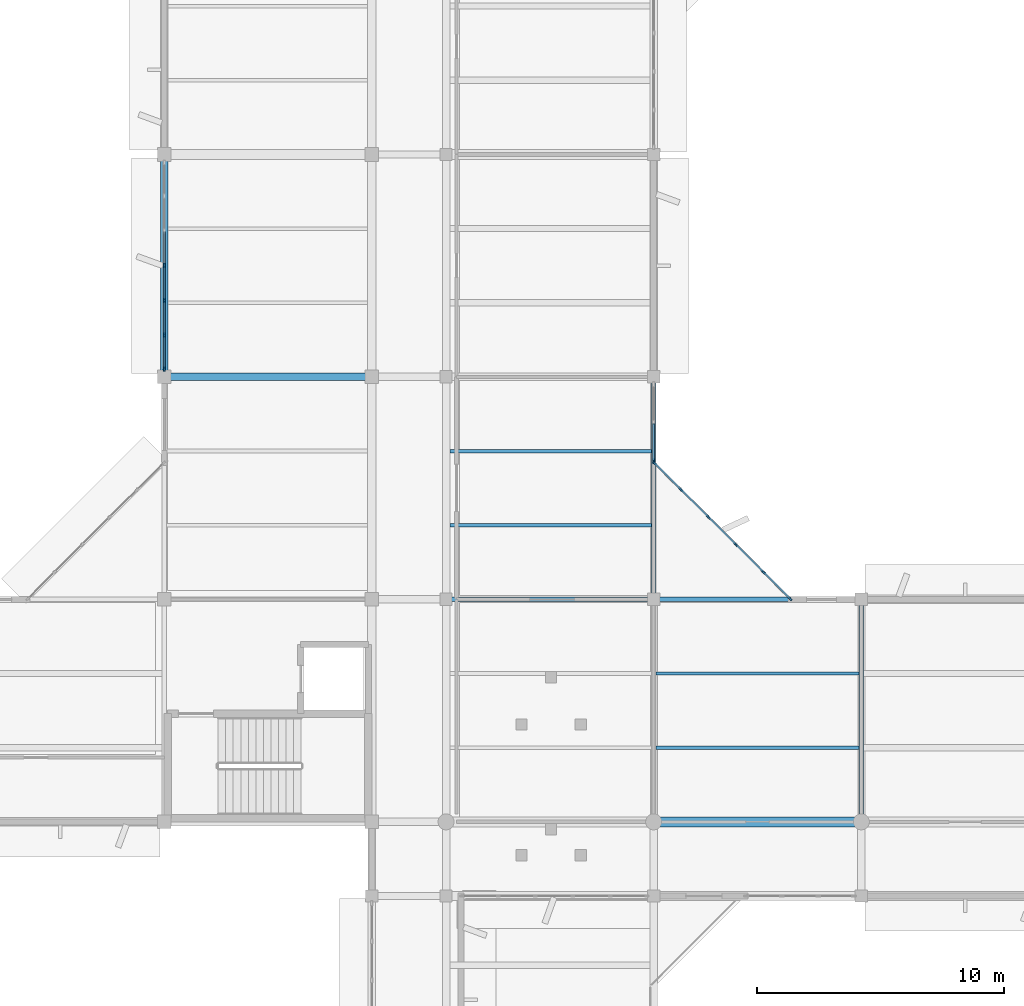
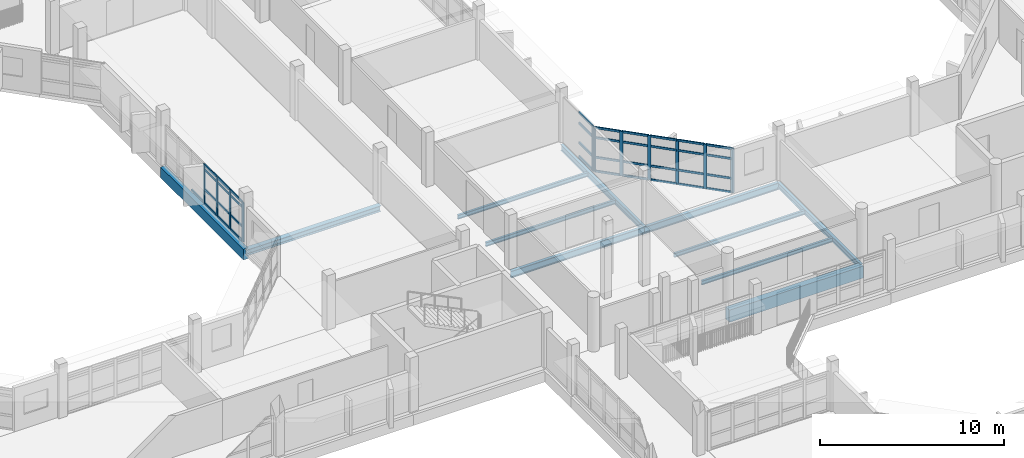
# One storey, part 22 of 92: 48 members, 11 beams, 3 elements without a shape of their own.
"""IFC4 building model written with IfcOpenShell, lengths in metres."""

from ifc_helpers import new_model, si_unit, direction, frame, origin, origin_2d, place, context, subcontext, project, spatial, rectangle, i_section, extrude, material, material_profile, profile_set, type_object, element, aggregate, save


model = new_model("IFC4")

# Units and contexts
model_context = context("Model", 3, precision=1e-05, world=origin(), true_north=direction((0.0, 1.0)))
body_context = subcontext(model_context, "Body", "Model", "MODEL_VIEW")
ifc_project = project(units=[si_unit("LENGTHUNIT", "METRE"), si_unit("AREAUNIT", "SQUARE_METRE"), si_unit("VOLUMEUNIT", "CUBIC_METRE"), si_unit("PLANEANGLEUNIT", "RADIAN"), si_unit("MASSUNIT", "GRAM", prefix="KILO")], contexts=[model_context])

# Site, building, storey
site_placement = place(None, origin())
site = spatial("IfcSite", under=ifc_project, at=site_placement, CompositionType="ELEMENT")
building_placement = place(site_placement, origin())
building = spatial("IfcBuilding", under=site, at=building_placement, Name="Vanh Quang Courtyard School", CompositionType="ELEMENT")
storey_placement = place(building_placement, frame((0.0, 0.0, 7.800048828125)))
storey = spatial("IfcBuildingStorey", under=building, at=storey_placement, Name="L02", CompositionType="ELEMENT", Elevation=7.800048828125)

# Beams
ifc_material_1 = material(Name="Concrete C35/45", Category="concrete")
ifc_material_profile_1 = material_profile(ifc_material_1, rectangle(XDim=0.39990234375, YDim=0.800048828125, at=origin_2d()), Name="RC-BM 400x800")
ifc_profile_set_1 = profile_set([ifc_material_profile_1], Name="Concrete C35/45")
beam_type_1 = type_object("IfcBeamType", Name="BM-RC-400x800", PredefinedType="BEAM", material=ifc_profile_set_1)
beam_1_placement = place(storey_placement, frame((85.800048828125, 32.39990234375, -0.679931640625), z_axis=(1.0, 0.0, 0.0), x_axis=(0.0, 1.0, 0.0)))
element("IfcBeam", 1, at=beam_1_placement, inside=storey, type_object=beam_type_1, Name="Beam B-02 (L02)", PredefinedType="BEAM", context=body_context, shape_type="SweptSolid", body=[
    extrude(rectangle(XDim=0.39990234375, YDim=0.800048828125, at=origin_2d()), origin(), (0.0, 0.0, 1.0), 8.39990234375),
])
ifc_material_profile_2 = material_profile(ifc_material_1, rectangle(XDim=0.300048828125, YDim=0.699951171875, at=origin_2d()), Name="RC-SP 300x700")
ifc_profile_set_2 = profile_set([ifc_material_profile_2], Name="Concrete C35/45")
beam_type_2 = type_object("IfcBeamType", Name="BM-SP-300x700", PredefinedType="SPANDREL", material=ifc_profile_set_2)
beam_2_placement = place(storey_placement, frame((66.0, 50.39990234375, -0.650146484375), z_axis=(0.0, 1.0, 0.0), x_axis=(-1.0, 0.0, 0.0)))
element("IfcBeam", 2, at=beam_2_placement, inside=storey, type_object=beam_type_2, Name="Beam BS-01 (L02)", PredefinedType="SPANDREL", context=body_context, shape_type="SweptSolid", body=[
    extrude(rectangle(XDim=0.300048828125, YDim=0.699951171875, at=origin_2d()), origin(), (0.0, 0.0, 1.0), 9.0),
])
ifc_material_2 = material(Name="Structural steel EN 10025-2 S355J2", Category="steel")
ifc_material_profile_3 = material_profile(ifc_material_2, i_section(OverallWidth=0.300048828125, OverallDepth=0.389892578125, WebThickness=0.010986328125, FlangeThickness=0.01904296875, FilletRadius=0.027099609375, at=origin_2d()), Name="HEA 400")
ifc_profile_set_3 = profile_set([ifc_material_profile_3], Name="Structural steel EN 10025-2 S355J2")
beam_type_3 = type_object("IfcBeamType", Name="BM-STL-HEA400", PredefinedType="BEAM", material=ifc_profile_set_3)
beam_3_placement = place(storey_placement, frame((66.0, 50.39990234375, -0.4951171875), z_axis=(1.0, 0.0, 0.0), x_axis=(0.0, 1.0, 0.0)))
element("IfcBeam", 3, at=beam_3_placement, inside=storey, type_object=beam_type_3, Name="Beam SB-08 (L02)", PredefinedType="BEAM", context=body_context, shape_type="SweptSolid", body=[
    extrude(i_section(OverallWidth=0.300048828125, OverallDepth=0.389892578125, WebThickness=0.010986328125, FlangeThickness=0.01904296875, FilletRadius=0.027099609375, at=origin_2d()), origin(), (0.0, 0.0, 1.0), 8.39990234375),
])
ifc_material_profile_4 = material_profile(ifc_material_2, i_section(OverallWidth=0.169921875, OverallDepth=0.360107421875, WebThickness=0.008056640625, FlangeThickness=0.0126953125, FilletRadius=0.01806640625, at=origin_2d()), Name="IPE 360")
ifc_profile_set_4 = profile_set([ifc_material_profile_4], Name="Structural steel EN 10025-2 S355J2")
beam_type_4 = type_object("IfcBeamType", Name="BM-STL-IPE360", PredefinedType="BEAM", material=ifc_profile_set_4)
beam_4_placement = place(storey_placement, frame((94.199951171875, 32.39990234375, -0.4599609375), z_axis=(0.0, 1.0, 0.0), x_axis=(-1.0, 0.0, 0.0)))
element("IfcBeam", 4, at=beam_4_placement, inside=storey, type_object=beam_type_4, Name="Beam SB-06 (L02)", PredefinedType="BEAM", context=body_context, shape_type="SweptSolid", body=[
    extrude(i_section(OverallWidth=0.169921875, OverallDepth=0.360107421875, WebThickness=0.008056640625, FlangeThickness=0.0126953125, FilletRadius=0.01806640625, at=origin_2d()), origin(), (0.0, 0.0, 1.0), 9.0),
])
ifc_material_profile_5 = material_profile(ifc_material_2, i_section(OverallWidth=0.179931640625, OverallDepth=0.39990234375, WebThickness=0.008544921875, FlangeThickness=0.013427734375, FilletRadius=0.02099609375, at=origin_2d()), Name="IPE 400")
ifc_profile_set_5 = profile_set([ifc_material_profile_5], Name="Structural steel EN 10025-2 S355J2")
beam_type_5 = type_object("IfcBeamType", Name="BM-STL-IPE400", PredefinedType="BEAM", material=ifc_profile_set_5)
beam_5_placement = place(storey_placement, frame((85.800048828125, 41.39990234375, -0.47998046875), z_axis=(0.0, 1.0, 0.0), x_axis=(-1.0, 0.0, 0.0)))
element("IfcBeam", 5, at=beam_5_placement, inside=storey, type_object=beam_type_5, Name="Beam SB-05 (L02)", PredefinedType="BEAM", context=body_context, shape_type="SweptSolid", body=[
    extrude(i_section(OverallWidth=0.179931640625, OverallDepth=0.39990234375, WebThickness=0.008544921875, FlangeThickness=0.013427734375, FilletRadius=0.02099609375, at=origin_2d()), origin(), (0.0, 0.0, 1.0), 9.0),
])
ifc_material_profile_6 = material_profile(ifc_material_2, i_section(OverallWidth=0.18994140625, OverallDepth=0.449951171875, WebThickness=0.009521484375, FlangeThickness=0.0146484375, FilletRadius=0.02099609375, at=origin_2d()), Name="IPE 450")
ifc_profile_set_6 = profile_set([ifc_material_profile_6], Name="Structural steel EN 10025-2 S355J2")
beam_type_6 = type_object("IfcBeamType", Name="BM-STL-IPE450", PredefinedType="BEAM", material=ifc_profile_set_6)
beam_6_placement = place(storey_placement, frame((77.39990234375, 41.39990234375, -0.505126953125), z_axis=(1.0, 0.0, 0.0), x_axis=(0.0, 1.0, 0.0)))
element("IfcBeam", 6, at=beam_6_placement, inside=storey, type_object=beam_type_6, Name="Beam SB-04 (L02)", PredefinedType="BEAM", context=body_context, shape_type="SweptSolid", body=[
    extrude(i_section(OverallWidth=0.18994140625, OverallDepth=0.449951171875, WebThickness=0.009521484375, FlangeThickness=0.0146484375, FilletRadius=0.02099609375, at=origin_2d()), origin(), (0.0, 0.0, 1.0), 8.400146484375),
])
beam_7_placement = place(storey_placement, frame((85.800048828125, 41.39990234375, -0.505126953125), z_axis=(1.0, 0.0, 0.0), x_axis=(0.0, 1.0, 0.0)))
element("IfcBeam", 7, at=beam_7_placement, inside=storey, type_object=beam_type_6, Name="Beam SB-04 (L02)", PredefinedType="BEAM", context=body_context, shape_type="SweptSolid", body=[
    extrude(i_section(OverallWidth=0.18994140625, OverallDepth=0.449951171875, WebThickness=0.009521484375, FlangeThickness=0.0146484375, FilletRadius=0.02099609375, at=origin_2d()), origin(), (0.0, 0.0, 1.0), 8.39990234375),
])

# Curtain wall, members
ifc_material_3 = material(Name="Thermally broken aluminium unitised curtain wall", Category="aluminium")
curtain_wall_type_1 = type_object("IfcCurtainWallType", Name="CW-SYS-48", PredefinedType="NOTDEFINED", material=ifc_material_3)
curtain_wall_1_placement = place(storey_placement, origin())
curtain_wall_1 = element("IfcCurtainWall", 8, at=curtain_wall_1_placement, inside=storey, type_object=curtain_wall_type_1, Name="Curtain Wall CW-48 (L02)", PredefinedType="NOTDEFINED")
ifc_material_4 = material(Name="Anodised aluminium 6063-T6", Category="aluminium")
ifc_material_profile_7 = material_profile(ifc_material_4, rectangle(XDim=0.070068359375, YDim=0.179931640625, at=origin_2d()), Name="ALU-MUL 70x180")
ifc_profile_set_7 = profile_set([ifc_material_profile_7], Name="Anodised aluminium 6063-T6")
member_type_1 = type_object("IfcMemberType", Name="CW-MUL-70x180", PredefinedType="MULLION", material=ifc_profile_set_7)
member_1_placement = place(storey_placement, frame((66.0, 50.718017578125, 0.0), z_axis=(0.0, 0.0, 1.0), x_axis=(-1.0, 0.0, 0.0)))
member_1 = element("IfcMember", 9, at=member_1_placement, type_object=member_type_1, Name="CW-48 mullion 1", PredefinedType="MULLION", context=body_context, shape_type="SweptSolid", body=[
    extrude(rectangle(XDim=0.070068359375, YDim=0.179931640625, at=origin_2d()), origin(), (0.0, 0.0, 1.0), 2.599853515625),
])
member_2_placement = place(storey_placement, frame((66.0, 52.088623046875, 0.0), z_axis=(0.0, 0.0, 1.0), x_axis=(-1.0, 0.0, 0.0)))
member_2 = element("IfcMember", 10, at=member_2_placement, type_object=member_type_1, Name="CW-48 mullion 2", PredefinedType="MULLION", context=body_context, shape_type="SweptSolid", body=[
    extrude(rectangle(XDim=0.070068359375, YDim=0.179931640625, at=origin_2d()), origin(), (0.0, 0.0, 1.0), 2.599853515625),
])
member_3_placement = place(storey_placement, frame((66.0, 53.494384765625, 0.0), z_axis=(0.0, 0.0, 1.0), x_axis=(-1.0, 0.0, 0.0)))
member_3 = element("IfcMember", 11, at=member_3_placement, type_object=member_type_1, Name="CW-48 mullion 3", PredefinedType="MULLION", context=body_context, shape_type="SweptSolid", body=[
    extrude(rectangle(XDim=0.070068359375, YDim=0.179931640625, at=origin_2d()), origin(), (0.0, 0.0, 1.0), 2.599853515625),
])
member_4_placement = place(storey_placement, frame((66.0, 54.89990234375, 0.0), z_axis=(0.0, 0.0, 1.0), x_axis=(-1.0, 0.0, 0.0)))
member_4 = element("IfcMember", 12, at=member_4_placement, type_object=member_type_1, Name="CW-48 mullion 4", PredefinedType="MULLION", context=body_context, shape_type="SweptSolid", body=[
    extrude(rectangle(XDim=0.070068359375, YDim=0.179931640625, at=origin_2d()), origin(), (0.0, 0.0, 1.0), 2.599853515625),
])

curtain_wall_type_2 = type_object("IfcCurtainWallType", Name="CW-SYS-52", PredefinedType="NOTDEFINED", material=ifc_material_3)
curtain_wall_2_placement = place(storey_placement, origin())
curtain_wall_2 = element("IfcCurtainWall", 13, at=curtain_wall_2_placement, inside=storey, type_object=curtain_wall_type_2, Name="Curtain Wall CW-52 (L02)", PredefinedType="NOTDEFINED")
member_5_placement = place(storey_placement, frame((85.82470703125, 46.919189453125, 0.0), z_axis=(0.0, 0.0, 1.0), x_axis=(0.707106781187, 0.707106781187, 0.0)))
member_5 = element("IfcMember", 14, at=member_5_placement, type_object=member_type_1, Name="CW-52 mullion 1", PredefinedType="MULLION", context=body_context, shape_type="SweptSolid", body=[
    extrude(rectangle(XDim=0.070068359375, YDim=0.179931640625, at=origin_2d()), origin(), (0.0, 0.0, 1.0), 2.949951171875),
])
member_6_placement = place(storey_placement, frame((86.90869140625, 45.835205078125, 0.0), z_axis=(0.0, 0.0, 1.0), x_axis=(0.707106781187, 0.707106781187, 0.0)))
member_6 = element("IfcMember", 15, at=member_6_placement, type_object=member_type_1, Name="CW-52 mullion 2", PredefinedType="MULLION", context=body_context, shape_type="SweptSolid", body=[
    extrude(rectangle(XDim=0.070068359375, YDim=0.179931640625, at=origin_2d()), origin(), (0.0, 0.0, 1.0), 2.949951171875),
])
member_7_placement = place(storey_placement, frame((88.017578125, 44.726318359375, 0.0), z_axis=(0.0, 0.0, 1.0), x_axis=(0.707106781187, 0.707106781187, 0.0)))
member_7 = element("IfcMember", 16, at=member_7_placement, type_object=member_type_1, Name="CW-52 mullion 3", PredefinedType="MULLION", context=body_context, shape_type="SweptSolid", body=[
    extrude(rectangle(XDim=0.070068359375, YDim=0.179931640625, at=origin_2d()), origin(), (0.0, 0.0, 1.0), 2.949951171875),
])
member_8_placement = place(storey_placement, frame((89.12646484375, 43.61767578125, 0.0), z_axis=(0.0, 0.0, 1.0), x_axis=(0.707106781187, 0.707106781187, 0.0)))
member_8 = element("IfcMember", 17, at=member_8_placement, type_object=member_type_1, Name="CW-52 mullion 4", PredefinedType="MULLION", context=body_context, shape_type="SweptSolid", body=[
    extrude(rectangle(XDim=0.070068359375, YDim=0.179931640625, at=origin_2d()), origin(), (0.0, 0.0, 1.0), 2.949951171875),
])
member_9_placement = place(storey_placement, frame((90.235107421875, 42.5087890625, 0.0), z_axis=(0.0, 0.0, 1.0), x_axis=(0.707106781187, 0.707106781187, 0.0)))
member_9 = element("IfcMember", 18, at=member_9_placement, type_object=member_type_1, Name="CW-52 mullion 5", PredefinedType="MULLION", context=body_context, shape_type="SweptSolid", body=[
    extrude(rectangle(XDim=0.070068359375, YDim=0.179931640625, at=origin_2d()), origin(), (0.0, 0.0, 1.0), 2.949951171875),
])
member_10_placement = place(storey_placement, frame((91.3193359375, 41.4248046875, 0.0), z_axis=(0.0, 0.0, 1.0), x_axis=(0.707106781187, 0.707106781187, 0.0)))
member_10 = element("IfcMember", 19, at=member_10_placement, type_object=member_type_1, Name="CW-52 mullion 6", PredefinedType="MULLION", context=body_context, shape_type="SweptSolid", body=[
    extrude(rectangle(XDim=0.070068359375, YDim=0.179931640625, at=origin_2d()), origin(), (0.0, 0.0, 1.0), 2.949951171875),
])

# Curtain wall, member
curtain_wall_type_3 = type_object("IfcCurtainWallType", Name="CW-SYS-53", PredefinedType="NOTDEFINED", material=ifc_material_3)
curtain_wall_3_placement = place(storey_placement, origin())
curtain_wall_3 = element("IfcCurtainWall", 20, at=curtain_wall_3_placement, inside=storey, type_object=curtain_wall_type_3, Name="Curtain Wall CW-53 (L02)", PredefinedType="NOTDEFINED")
ifc_material_profile_8 = material_profile(ifc_material_4, rectangle(XDim=0.080078125, YDim=0.199951171875, at=origin_2d()), Name="ALU-MUL 80x200")
ifc_profile_set_8 = profile_set([ifc_material_profile_8], Name="Anodised aluminium 6063-T6")
member_type_2 = type_object("IfcMemberType", Name="CW-MUL-80x200", PredefinedType="MULLION", material=ifc_profile_set_8)
member_11_placement = place(storey_placement, frame((85.800048828125, 46.98388671875, 0.0), z_axis=(0.0, 0.0, 1.0), x_axis=(1.0, 0.0, 0.0)))
member_11 = element("IfcMember", 21, at=member_11_placement, type_object=member_type_2, Name="CW-53 mullion 3", PredefinedType="MULLION", context=body_context, shape_type="SweptSolid", body=[
    extrude(rectangle(XDim=0.080078125, YDim=0.199951171875, at=origin_2d()), origin(), (0.0, 0.0, 1.0), 2.97998046875),
])

# Member
ifc_material_profile_9 = material_profile(ifc_material_4, rectangle(XDim=0.070068359375, YDim=0.139892578125, at=origin_2d()), Name="ALU-TRN 70x140")
ifc_profile_set_9 = profile_set([ifc_material_profile_9], Name="Anodised aluminium 6063-T6")
member_type_3 = type_object("IfcMemberType", Name="CW-TRN-70x140", PredefinedType="USERDEFINED", material=ifc_profile_set_9)
member_12_placement = place(storey_placement, frame((66.0, 50.7529296875, 0.034912109375), z_axis=(0.0, 1.0, 0.0), x_axis=(-1.0, 0.0, 0.0)))
member_12 = element("IfcMember", 22, at=member_12_placement, type_object=member_type_3, Name="CW-48 transom 1.1", ObjectType="TRANSOM", PredefinedType="USERDEFINED", context=body_context, shape_type="SweptSolid", body=[
    extrude(rectangle(XDim=0.070068359375, YDim=0.139892578125, at=origin_2d()), origin(), (0.0, 0.0, 1.0), 1.30078125),
])

member_13_placement = place(storey_placement, frame((66.0, 50.7529296875, 0.949951171875), z_axis=(0.0, 1.0, 0.0), x_axis=(-1.0, 0.0, 0.0)))
member_13 = element("IfcMember", 23, at=member_13_placement, type_object=member_type_3, Name="CW-48 transom 1.2", ObjectType="TRANSOM", PredefinedType="USERDEFINED", context=body_context, shape_type="SweptSolid", body=[
    extrude(rectangle(XDim=0.070068359375, YDim=0.139892578125, at=origin_2d()), origin(), (0.0, 0.0, 1.0), 1.30078125),
])

member_14_placement = place(storey_placement, frame((66.0, 50.7529296875, 2.25), z_axis=(0.0, 1.0, 0.0), x_axis=(-1.0, 0.0, 0.0)))
member_14 = element("IfcMember", 24, at=member_14_placement, type_object=member_type_3, Name="CW-48 transom 1.3", ObjectType="TRANSOM", PredefinedType="USERDEFINED", context=body_context, shape_type="SweptSolid", body=[
    extrude(rectangle(XDim=0.070068359375, YDim=0.139892578125, at=origin_2d()), origin(), (0.0, 0.0, 1.0), 1.30078125),
])

member_15_placement = place(storey_placement, frame((66.0, 50.7529296875, 2.56494140625), z_axis=(0.0, 1.0, 0.0), x_axis=(-1.0, 0.0, 0.0)))
member_15 = element("IfcMember", 25, at=member_15_placement, type_object=member_type_3, Name="CW-48 transom 1.4", ObjectType="TRANSOM", PredefinedType="USERDEFINED", context=body_context, shape_type="SweptSolid", body=[
    extrude(rectangle(XDim=0.070068359375, YDim=0.139892578125, at=origin_2d()), origin(), (0.0, 0.0, 1.0), 1.30078125),
])

member_16_placement = place(storey_placement, frame((66.0, 52.123779296875, 0.034912109375), z_axis=(0.0, 1.0, 0.0), x_axis=(-1.0, 0.0, 0.0)))
member_16 = element("IfcMember", 26, at=member_16_placement, type_object=member_type_3, Name="CW-48 transom 2.1", ObjectType="TRANSOM", PredefinedType="USERDEFINED", context=body_context, shape_type="SweptSolid", body=[
    extrude(rectangle(XDim=0.070068359375, YDim=0.139892578125, at=origin_2d()), origin(), (0.0, 0.0, 1.0), 1.33544921875),
])

member_17_placement = place(storey_placement, frame((66.0, 52.123779296875, 0.949951171875), z_axis=(0.0, 1.0, 0.0), x_axis=(-1.0, 0.0, 0.0)))
member_17 = element("IfcMember", 27, at=member_17_placement, type_object=member_type_3, Name="CW-48 transom 2.2", ObjectType="TRANSOM", PredefinedType="USERDEFINED", context=body_context, shape_type="SweptSolid", body=[
    extrude(rectangle(XDim=0.070068359375, YDim=0.139892578125, at=origin_2d()), origin(), (0.0, 0.0, 1.0), 1.33544921875),
])

member_18_placement = place(storey_placement, frame((66.0, 52.123779296875, 2.25), z_axis=(0.0, 1.0, 0.0), x_axis=(-1.0, 0.0, 0.0)))
member_18 = element("IfcMember", 28, at=member_18_placement, type_object=member_type_3, Name="CW-48 transom 2.3", ObjectType="TRANSOM", PredefinedType="USERDEFINED", context=body_context, shape_type="SweptSolid", body=[
    extrude(rectangle(XDim=0.070068359375, YDim=0.139892578125, at=origin_2d()), origin(), (0.0, 0.0, 1.0), 1.33544921875),
])

member_19_placement = place(storey_placement, frame((66.0, 52.123779296875, 2.56494140625), z_axis=(0.0, 1.0, 0.0), x_axis=(-1.0, 0.0, 0.0)))
member_19 = element("IfcMember", 29, at=member_19_placement, type_object=member_type_3, Name="CW-48 transom 2.4", ObjectType="TRANSOM", PredefinedType="USERDEFINED", context=body_context, shape_type="SweptSolid", body=[
    extrude(rectangle(XDim=0.070068359375, YDim=0.139892578125, at=origin_2d()), origin(), (0.0, 0.0, 1.0), 1.33544921875),
])

member_20_placement = place(storey_placement, frame((66.0, 53.529296875, 0.034912109375), z_axis=(0.0, 1.0, 0.0), x_axis=(-1.0, 0.0, 0.0)))
member_20 = element("IfcMember", 30, at=member_20_placement, type_object=member_type_3, Name="CW-48 transom 3.1", ObjectType="TRANSOM", PredefinedType="USERDEFINED", context=body_context, shape_type="SweptSolid", body=[
    extrude(rectangle(XDim=0.070068359375, YDim=0.139892578125, at=origin_2d()), origin(), (0.0, 0.0, 1.0), 1.335693359375),
])

member_21_placement = place(storey_placement, frame((66.0, 53.529296875, 0.949951171875), z_axis=(0.0, 1.0, 0.0), x_axis=(-1.0, 0.0, 0.0)))
member_21 = element("IfcMember", 31, at=member_21_placement, type_object=member_type_3, Name="CW-48 transom 3.2", ObjectType="TRANSOM", PredefinedType="USERDEFINED", context=body_context, shape_type="SweptSolid", body=[
    extrude(rectangle(XDim=0.070068359375, YDim=0.139892578125, at=origin_2d()), origin(), (0.0, 0.0, 1.0), 1.335693359375),
])

member_22_placement = place(storey_placement, frame((66.0, 53.529296875, 2.25), z_axis=(0.0, 1.0, 0.0), x_axis=(-1.0, 0.0, 0.0)))
member_22 = element("IfcMember", 32, at=member_22_placement, type_object=member_type_3, Name="CW-48 transom 3.3", ObjectType="TRANSOM", PredefinedType="USERDEFINED", context=body_context, shape_type="SweptSolid", body=[
    extrude(rectangle(XDim=0.070068359375, YDim=0.139892578125, at=origin_2d()), origin(), (0.0, 0.0, 1.0), 1.335693359375),
])

member_23_placement = place(storey_placement, frame((66.0, 53.529296875, 2.56494140625), z_axis=(0.0, 1.0, 0.0), x_axis=(-1.0, 0.0, 0.0)))
member_23 = element("IfcMember", 33, at=member_23_placement, type_object=member_type_3, Name="CW-48 transom 3.4", ObjectType="TRANSOM", PredefinedType="USERDEFINED", context=body_context, shape_type="SweptSolid", body=[
    extrude(rectangle(XDim=0.070068359375, YDim=0.139892578125, at=origin_2d()), origin(), (0.0, 0.0, 1.0), 1.335693359375),
])

member_24_placement = place(storey_placement, frame((66.0, 54.93505859375, 0.034912109375), z_axis=(0.0, 1.0, 0.0), x_axis=(-1.0, 0.0, 0.0)))
member_24 = element("IfcMember", 34, at=member_24_placement, type_object=member_type_3, Name="CW-48 transom 4.1", ObjectType="TRANSOM", PredefinedType="USERDEFINED", context=body_context, shape_type="SweptSolid", body=[
    extrude(rectangle(XDim=0.070068359375, YDim=0.139892578125, at=origin_2d()), origin(), (0.0, 0.0, 1.0), 1.335693359375),
])

aggregate(curtain_wall_1, [member_1, member_2, member_3, member_4, member_12, member_13, member_14, member_15, member_16, member_17, member_18, member_19, member_20, member_21, member_22, member_23, member_24])

member_25_placement = place(storey_placement, frame((85.849609375, 46.89453125, 0.034912109375), z_axis=(0.707023341836, -0.707190210692, 0.0), x_axis=(0.707190210692, 0.707023341836, 0.0)))
member_25 = element("IfcMember", 35, at=member_25_placement, type_object=member_type_3, Name="CW-52 transom 1.1", ObjectType="TRANSOM", PredefinedType="USERDEFINED", context=body_context, shape_type="SweptSolid", body=[
    extrude(rectangle(XDim=0.070068359375, YDim=0.139892578125, at=origin_2d()), origin(), (0.0, 0.0, 1.0), 1.463134765625),
])

member_26_placement = place(storey_placement, frame((85.849609375, 46.89453125, 0.949951171875), z_axis=(0.707023341836, -0.707190210692, 0.0), x_axis=(0.707190210692, 0.707023341836, 0.0)))
member_26 = element("IfcMember", 36, at=member_26_placement, type_object=member_type_3, Name="CW-52 transom 1.2", ObjectType="TRANSOM", PredefinedType="USERDEFINED", context=body_context, shape_type="SweptSolid", body=[
    extrude(rectangle(XDim=0.070068359375, YDim=0.139892578125, at=origin_2d()), origin(), (0.0, 0.0, 1.0), 1.463134765625),
])

member_27_placement = place(storey_placement, frame((85.849609375, 46.89453125, 2.25), z_axis=(0.707023341836, -0.707190210692, 0.0), x_axis=(0.707190210692, 0.707023341836, 0.0)))
member_27 = element("IfcMember", 37, at=member_27_placement, type_object=member_type_3, Name="CW-52 transom 1.3", ObjectType="TRANSOM", PredefinedType="USERDEFINED", context=body_context, shape_type="SweptSolid", body=[
    extrude(rectangle(XDim=0.070068359375, YDim=0.139892578125, at=origin_2d()), origin(), (0.0, 0.0, 1.0), 1.463134765625),
])

member_28_placement = place(storey_placement, frame((85.849609375, 46.89453125, 2.9150390625), z_axis=(0.707023341836, -0.707190210692, 0.0), x_axis=(0.707190210692, 0.707023341836, 0.0)))
member_28 = element("IfcMember", 38, at=member_28_placement, type_object=member_type_3, Name="CW-52 transom 1.4", ObjectType="TRANSOM", PredefinedType="USERDEFINED", context=body_context, shape_type="SweptSolid", body=[
    extrude(rectangle(XDim=0.070068359375, YDim=0.139892578125, at=origin_2d()), origin(), (0.0, 0.0, 1.0), 1.463134765625),
])

member_29_placement = place(storey_placement, frame((86.93359375, 45.810546875, 0.034912109375), z_axis=(0.707106781187, -0.707106781187, 0.0), x_axis=(0.707106781187, 0.707106781187, 0.0)))
member_29 = element("IfcMember", 39, at=member_29_placement, type_object=member_type_3, Name="CW-52 transom 2.1", ObjectType="TRANSOM", PredefinedType="USERDEFINED", context=body_context, shape_type="SweptSolid", body=[
    extrude(rectangle(XDim=0.070068359375, YDim=0.139892578125, at=origin_2d()), origin(), (0.0, 0.0, 1.0), 1.498046875),
])

member_30_placement = place(storey_placement, frame((86.93359375, 45.810546875, 0.949951171875), z_axis=(0.707106781187, -0.707106781187, 0.0), x_axis=(0.707106781187, 0.707106781187, 0.0)))
member_30 = element("IfcMember", 40, at=member_30_placement, type_object=member_type_3, Name="CW-52 transom 2.2", ObjectType="TRANSOM", PredefinedType="USERDEFINED", context=body_context, shape_type="SweptSolid", body=[
    extrude(rectangle(XDim=0.070068359375, YDim=0.139892578125, at=origin_2d()), origin(), (0.0, 0.0, 1.0), 1.498046875),
])

member_31_placement = place(storey_placement, frame((86.93359375, 45.810546875, 2.25), z_axis=(0.707106781187, -0.707106781187, 0.0), x_axis=(0.707106781187, 0.707106781187, 0.0)))
member_31 = element("IfcMember", 41, at=member_31_placement, type_object=member_type_3, Name="CW-52 transom 2.3", ObjectType="TRANSOM", PredefinedType="USERDEFINED", context=body_context, shape_type="SweptSolid", body=[
    extrude(rectangle(XDim=0.070068359375, YDim=0.139892578125, at=origin_2d()), origin(), (0.0, 0.0, 1.0), 1.498046875),
])

member_32_placement = place(storey_placement, frame((86.93359375, 45.810546875, 2.9150390625), z_axis=(0.707106781187, -0.707106781187, 0.0), x_axis=(0.707106781187, 0.707106781187, 0.0)))
member_32 = element("IfcMember", 42, at=member_32_placement, type_object=member_type_3, Name="CW-52 transom 2.4", ObjectType="TRANSOM", PredefinedType="USERDEFINED", context=body_context, shape_type="SweptSolid", body=[
    extrude(rectangle(XDim=0.070068359375, YDim=0.139892578125, at=origin_2d()), origin(), (0.0, 0.0, 1.0), 1.498046875),
])

member_33_placement = place(storey_placement, frame((88.042236328125, 44.70166015625, 0.034912109375), z_axis=(0.707106781187, -0.707106781187, 0.0), x_axis=(0.707106781187, 0.707106781187, 0.0)))
member_33 = element("IfcMember", 43, at=member_33_placement, type_object=member_type_3, Name="CW-52 transom 3.1", ObjectType="TRANSOM", PredefinedType="USERDEFINED", context=body_context, shape_type="SweptSolid", body=[
    extrude(rectangle(XDim=0.070068359375, YDim=0.139892578125, at=origin_2d()), origin(), (0.0, 0.0, 1.0), 1.498046875),
])

member_34_placement = place(storey_placement, frame((88.042236328125, 44.70166015625, 0.949951171875), z_axis=(0.707106781187, -0.707106781187, 0.0), x_axis=(0.707106781187, 0.707106781187, 0.0)))
member_34 = element("IfcMember", 44, at=member_34_placement, type_object=member_type_3, Name="CW-52 transom 3.2", ObjectType="TRANSOM", PredefinedType="USERDEFINED", context=body_context, shape_type="SweptSolid", body=[
    extrude(rectangle(XDim=0.070068359375, YDim=0.139892578125, at=origin_2d()), origin(), (0.0, 0.0, 1.0), 1.498046875),
])

member_35_placement = place(storey_placement, frame((88.042236328125, 44.70166015625, 2.25), z_axis=(0.707106781187, -0.707106781187, 0.0), x_axis=(0.707106781187, 0.707106781187, 0.0)))
member_35 = element("IfcMember", 45, at=member_35_placement, type_object=member_type_3, Name="CW-52 transom 3.3", ObjectType="TRANSOM", PredefinedType="USERDEFINED", context=body_context, shape_type="SweptSolid", body=[
    extrude(rectangle(XDim=0.070068359375, YDim=0.139892578125, at=origin_2d()), origin(), (0.0, 0.0, 1.0), 1.498046875),
])

member_36_placement = place(storey_placement, frame((88.042236328125, 44.70166015625, 2.9150390625), z_axis=(0.707106781187, -0.707106781187, 0.0), x_axis=(0.707106781187, 0.707106781187, 0.0)))
member_36 = element("IfcMember", 46, at=member_36_placement, type_object=member_type_3, Name="CW-52 transom 3.4", ObjectType="TRANSOM", PredefinedType="USERDEFINED", context=body_context, shape_type="SweptSolid", body=[
    extrude(rectangle(XDim=0.070068359375, YDim=0.139892578125, at=origin_2d()), origin(), (0.0, 0.0, 1.0), 1.498046875),
])

member_37_placement = place(storey_placement, frame((89.151123046875, 43.5927734375, 0.034912109375), z_axis=(0.707106781187, -0.707106781187, 0.0), x_axis=(0.707106781187, 0.707106781187, 0.0)))
member_37 = element("IfcMember", 47, at=member_37_placement, type_object=member_type_3, Name="CW-52 transom 4.1", ObjectType="TRANSOM", PredefinedType="USERDEFINED", context=body_context, shape_type="SweptSolid", body=[
    extrude(rectangle(XDim=0.070068359375, YDim=0.139892578125, at=origin_2d()), origin(), (0.0, 0.0, 1.0), 1.498046875),
])

member_38_placement = place(storey_placement, frame((89.151123046875, 43.5927734375, 0.949951171875), z_axis=(0.707106781187, -0.707106781187, 0.0), x_axis=(0.707106781187, 0.707106781187, 0.0)))
member_38 = element("IfcMember", 48, at=member_38_placement, type_object=member_type_3, Name="CW-52 transom 4.2", ObjectType="TRANSOM", PredefinedType="USERDEFINED", context=body_context, shape_type="SweptSolid", body=[
    extrude(rectangle(XDim=0.070068359375, YDim=0.139892578125, at=origin_2d()), origin(), (0.0, 0.0, 1.0), 1.498046875),
])

member_39_placement = place(storey_placement, frame((89.151123046875, 43.5927734375, 2.25), z_axis=(0.707106781187, -0.707106781187, 0.0), x_axis=(0.707106781187, 0.707106781187, 0.0)))
member_39 = element("IfcMember", 49, at=member_39_placement, type_object=member_type_3, Name="CW-52 transom 4.3", ObjectType="TRANSOM", PredefinedType="USERDEFINED", context=body_context, shape_type="SweptSolid", body=[
    extrude(rectangle(XDim=0.070068359375, YDim=0.139892578125, at=origin_2d()), origin(), (0.0, 0.0, 1.0), 1.498046875),
])

member_40_placement = place(storey_placement, frame((89.151123046875, 43.5927734375, 2.9150390625), z_axis=(0.707106781187, -0.707106781187, 0.0), x_axis=(0.707106781187, 0.707106781187, 0.0)))
member_40 = element("IfcMember", 50, at=member_40_placement, type_object=member_type_3, Name="CW-52 transom 4.4", ObjectType="TRANSOM", PredefinedType="USERDEFINED", context=body_context, shape_type="SweptSolid", body=[
    extrude(rectangle(XDim=0.070068359375, YDim=0.139892578125, at=origin_2d()), origin(), (0.0, 0.0, 1.0), 1.498046875),
])

member_41_placement = place(storey_placement, frame((90.260009765625, 42.484130859375, 0.034912109375), z_axis=(0.707023341836, -0.707190210692, 0.0), x_axis=(0.707190210692, 0.707023341836, 0.0)))
member_41 = element("IfcMember", 51, at=member_41_placement, type_object=member_type_3, Name="CW-52 transom 5.1", ObjectType="TRANSOM", PredefinedType="USERDEFINED", context=body_context, shape_type="SweptSolid", body=[
    extrude(rectangle(XDim=0.070068359375, YDim=0.139892578125, at=origin_2d()), origin(), (0.0, 0.0, 1.0), 1.463134765625),
])

member_42_placement = place(storey_placement, frame((90.260009765625, 42.484130859375, 0.949951171875), z_axis=(0.707023341836, -0.707190210692, 0.0), x_axis=(0.707190210692, 0.707023341836, 0.0)))
member_42 = element("IfcMember", 52, at=member_42_placement, type_object=member_type_3, Name="CW-52 transom 5.2", ObjectType="TRANSOM", PredefinedType="USERDEFINED", context=body_context, shape_type="SweptSolid", body=[
    extrude(rectangle(XDim=0.070068359375, YDim=0.139892578125, at=origin_2d()), origin(), (0.0, 0.0, 1.0), 1.463134765625),
])

member_43_placement = place(storey_placement, frame((90.260009765625, 42.484130859375, 2.25), z_axis=(0.707023341836, -0.707190210692, 0.0), x_axis=(0.707190210692, 0.707023341836, 0.0)))
member_43 = element("IfcMember", 53, at=member_43_placement, type_object=member_type_3, Name="CW-52 transom 5.3", ObjectType="TRANSOM", PredefinedType="USERDEFINED", context=body_context, shape_type="SweptSolid", body=[
    extrude(rectangle(XDim=0.070068359375, YDim=0.139892578125, at=origin_2d()), origin(), (0.0, 0.0, 1.0), 1.463134765625),
])

member_44_placement = place(storey_placement, frame((90.260009765625, 42.484130859375, 2.9150390625), z_axis=(0.707023341836, -0.707190210692, 0.0), x_axis=(0.707190210692, 0.707023341836, 0.0)))
member_44 = element("IfcMember", 54, at=member_44_placement, type_object=member_type_3, Name="CW-52 transom 5.4", ObjectType="TRANSOM", PredefinedType="USERDEFINED", context=body_context, shape_type="SweptSolid", body=[
    extrude(rectangle(XDim=0.070068359375, YDim=0.139892578125, at=origin_2d()), origin(), (0.0, 0.0, 1.0), 1.463134765625),
])

aggregate(curtain_wall_2, [member_5, member_6, member_7, member_8, member_9, member_10, member_25, member_26, member_27, member_28, member_29, member_30, member_31, member_32, member_33, member_34, member_35, member_36, member_37, member_38, member_39, member_40, member_41, member_42, member_43, member_44])

ifc_material_profile_10 = material_profile(ifc_material_4, rectangle(XDim=0.080078125, YDim=0.14990234375, at=origin_2d()), Name="ALU-TRN 80x150")
ifc_profile_set_10 = profile_set([ifc_material_profile_10], Name="Anodised aluminium 6063-T6")
member_type_4 = type_object("IfcMemberType", Name="CW-TRN-80x150", PredefinedType="USERDEFINED", material=ifc_profile_set_10)
member_45_placement = place(storey_placement, frame((85.800048828125, 48.5029296875, 0.0400390625), z_axis=(0.0, -1.0, 0.0), x_axis=(1.0, 0.0, 0.0)))
member_45 = element("IfcMember", 55, at=member_45_placement, type_object=member_type_4, Name="CW-53 transom 2.1", ObjectType="TRANSOM", PredefinedType="USERDEFINED", context=body_context, shape_type="SweptSolid", body=[
    extrude(rectangle(XDim=0.080078125, YDim=0.14990234375, at=origin_2d()), origin(), (0.0, 0.0, 1.0), 1.47900390625),
])

member_46_placement = place(storey_placement, frame((85.800048828125, 48.5029296875, 0.949951171875), z_axis=(0.0, -1.0, 0.0), x_axis=(1.0, 0.0, 0.0)))
member_46 = element("IfcMember", 56, at=member_46_placement, type_object=member_type_4, Name="CW-53 transom 2.2", ObjectType="TRANSOM", PredefinedType="USERDEFINED", context=body_context, shape_type="SweptSolid", body=[
    extrude(rectangle(XDim=0.080078125, YDim=0.14990234375, at=origin_2d()), origin(), (0.0, 0.0, 1.0), 1.47900390625),
])

member_47_placement = place(storey_placement, frame((85.800048828125, 48.5029296875, 2.25), z_axis=(0.0, -1.0, 0.0), x_axis=(1.0, 0.0, 0.0)))
member_47 = element("IfcMember", 57, at=member_47_placement, type_object=member_type_4, Name="CW-53 transom 2.3", ObjectType="TRANSOM", PredefinedType="USERDEFINED", context=body_context, shape_type="SweptSolid", body=[
    extrude(rectangle(XDim=0.080078125, YDim=0.14990234375, at=origin_2d()), origin(), (0.0, 0.0, 1.0), 1.47900390625),
])

member_48_placement = place(storey_placement, frame((85.800048828125, 48.5029296875, 2.93994140625), z_axis=(0.0, -1.0, 0.0), x_axis=(1.0, 0.0, 0.0)))
member_48 = element("IfcMember", 58, at=member_48_placement, type_object=member_type_4, Name="CW-53 transom 2.4", ObjectType="TRANSOM", PredefinedType="USERDEFINED", context=body_context, shape_type="SweptSolid", body=[
    extrude(rectangle(XDim=0.080078125, YDim=0.14990234375, at=origin_2d()), origin(), (0.0, 0.0, 1.0), 1.47900390625),
])

aggregate(curtain_wall_3, [member_11, member_45, member_46, member_47, member_48])

# Beams
ifc_material_profile_11 = material_profile(ifc_material_2, i_section(OverallWidth=0.135009765625, OverallDepth=0.27001953125, WebThickness=0.006591796875, FlangeThickness=0.01025390625, FilletRadius=0.014892578125, at=origin_2d()), Name="IPE 270")
ifc_profile_set_11 = profile_set([ifc_material_profile_11], Name="Structural steel EN 10025-2 S355J2")
beam_type_7 = type_object("IfcBeamType", Name="JST-STL-IPE270", PredefinedType="JOIST", material=ifc_profile_set_11)
for number, where, z_axis, x_axis, name in (
    (59, (77.550048828125, 44.39990234375, -0.4150390625), (1.0, 0.0, 0.0), (0.0, 1.0, 0.0), "Beam SJ-03 (L02)"),
    (60, (77.550048828125, 47.39990234375, -0.4150390625), (1.0, 0.0, 0.0), (0.0, 1.0, 0.0), "Beam SJ-03 (L02)"),
):
    element("IfcBeam", number, at=place(storey_placement, frame(where, z_axis=z_axis, x_axis=x_axis)), inside=storey, type_object=beam_type_7, Name=name, PredefinedType="JOIST", context=body_context, shape_type="SweptSolid", body=[
        extrude(i_section(OverallWidth=0.135009765625, OverallDepth=0.27001953125, WebThickness=0.006591796875, FlangeThickness=0.01025390625, FilletRadius=0.014892578125, at=origin_2d()), origin(), (0.0, 0.0, 1.0), 8.159912109375),
    ])
for number, where, z_axis, x_axis, name in (
    (61, (85.889892578125, 35.39990234375, -0.4150390625), (1.0, 0.0, 0.0), (0.0, 1.0, 0.0), "Beam SJ-03 (L02)"),
    (62, (85.889892578125, 38.39990234375, -0.4150390625), (1.0, 0.0, 0.0), (0.0, 1.0, 0.0), "Beam SJ-03 (L02)"),
):
    element("IfcBeam", number, at=place(storey_placement, frame(where, z_axis=z_axis, x_axis=x_axis)), inside=storey, type_object=beam_type_7, Name=name, PredefinedType="JOIST", context=body_context, shape_type="SweptSolid", body=[
        extrude(i_section(OverallWidth=0.135009765625, OverallDepth=0.27001953125, WebThickness=0.006591796875, FlangeThickness=0.01025390625, FilletRadius=0.014892578125, at=origin_2d()), origin(), (0.0, 0.0, 1.0), 8.22509765625),
    ])

save(model, "model.ifc")
